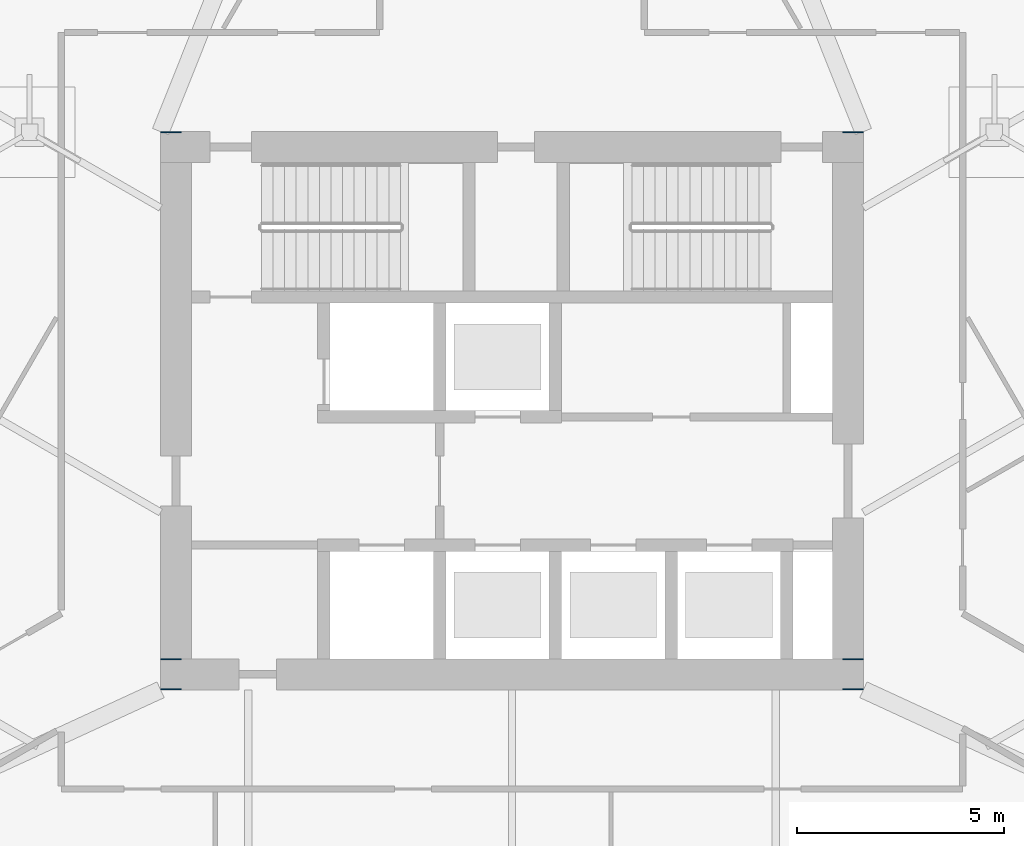
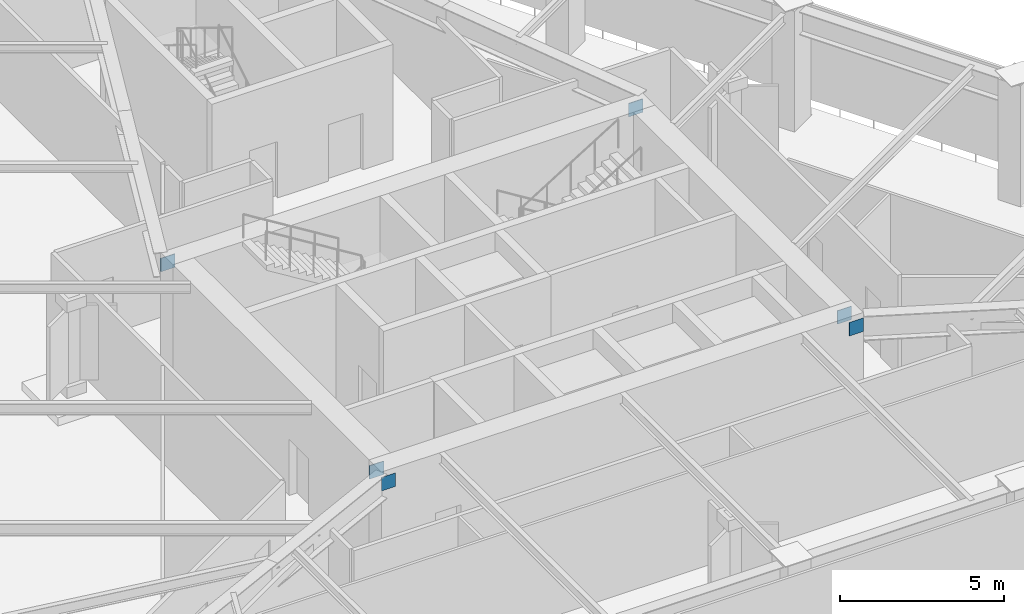
# One storey, part 5 of 9: 6 discrete accessories.
"""IFC4 building model written with IfcOpenShell, lengths in metres."""

from ifc_helpers import new_model, si_unit, direction, frame, origin, origin_2d, place, context, subcontext, project, spatial, rectangle, extrude, material, layer, layer_set, type_object, element, save


model = new_model("IFC4")

# Units and contexts
model_context = context("Model", 3, precision=1e-05, world=origin(), true_north=direction((0.0, 1.0)))
body_context = subcontext(model_context, "Body", "Model", "MODEL_VIEW")
ifc_project = project(units=[si_unit("LENGTHUNIT", "METRE"), si_unit("AREAUNIT", "SQUARE_METRE"), si_unit("VOLUMEUNIT", "CUBIC_METRE"), si_unit("PLANEANGLEUNIT", "RADIAN"), si_unit("MASSUNIT", "GRAM", prefix="KILO")], contexts=[model_context])

# Site, building, storey
site_placement = place(None, origin())
site = spatial("IfcSite", under=ifc_project, at=site_placement, CompositionType="ELEMENT")
building_placement = place(site_placement, origin())
building = spatial("IfcBuilding", under=site, at=building_placement, Name="Firuza Gate Tower and Library", CompositionType="ELEMENT")
storey_placement = place(building_placement, frame((0.0, 0.0, 252.10009765625)))
storey = spatial("IfcBuildingStorey", under=building, at=storey_placement, Name="L59", CompositionType="ELEMENT", Elevation=252.10009765625)

# Discrete accessories
ifc_material = material(Name="Steel S355", Category="steel")
ifc_layer = layer(ifc_material, 0.02490234375)
ifc_layer_set = layer_set([ifc_layer], Name="Cast-in anchor plate 500x500x25 Steel S355")
discrete_accessory_type = type_object("IfcDiscreteAccessoryType", Name="Cast-in anchor plate 500x500x25 Steel S355", PredefinedType="BRACKET", material=ifc_layer_set)
for number, where, z_axis, x_axis, name in (
    (1, (66.75, 81.737548828125, 3.593994140625), (0.0, 0.0, 1.0), (1.0, 0.0, 0.0), "Cast-in anchor plate"),
    (2, (83.25, 81.737548828125, 3.593994140625), (0.0, 0.0, 1.0), (1.0, 0.0, 0.0), "Cast-in anchor plate"),
    (3, (83.25, 68.262451171875, 3.593994140625), (0.0, 0.0, 1.0), (1.0, 0.0, 0.0), "Cast-in anchor plate"),
    (4, (83.25, 68.987548828125, 3.593994140625), (0.0, 0.0, 1.0), (1.0, 0.0, 0.0), "Cast-in anchor plate"),
    (5, (66.75, 68.262451171875, 3.593994140625), (0.0, 0.0, 1.0), (1.0, 0.0, 0.0), "Cast-in anchor plate"),
    (6, (66.75, 68.987548828125, 3.593994140625), (0.0, 0.0, 1.0), (1.0, 0.0, 0.0), "Cast-in anchor plate"),
):
    element("IfcDiscreteAccessory", number, at=place(storey_placement, frame(where, z_axis=z_axis, x_axis=x_axis)), inside=storey, type_object=discrete_accessory_type, Name=name, PredefinedType="BRACKET", context=body_context, shape_type="SweptSolid", body=[
        extrude(rectangle(XDim=0.5, YDim=0.02490234375, at=origin_2d()), origin(), (0.0, 0.0, 1.0), 0.5),
    ])

save(model, "model.ifc")
